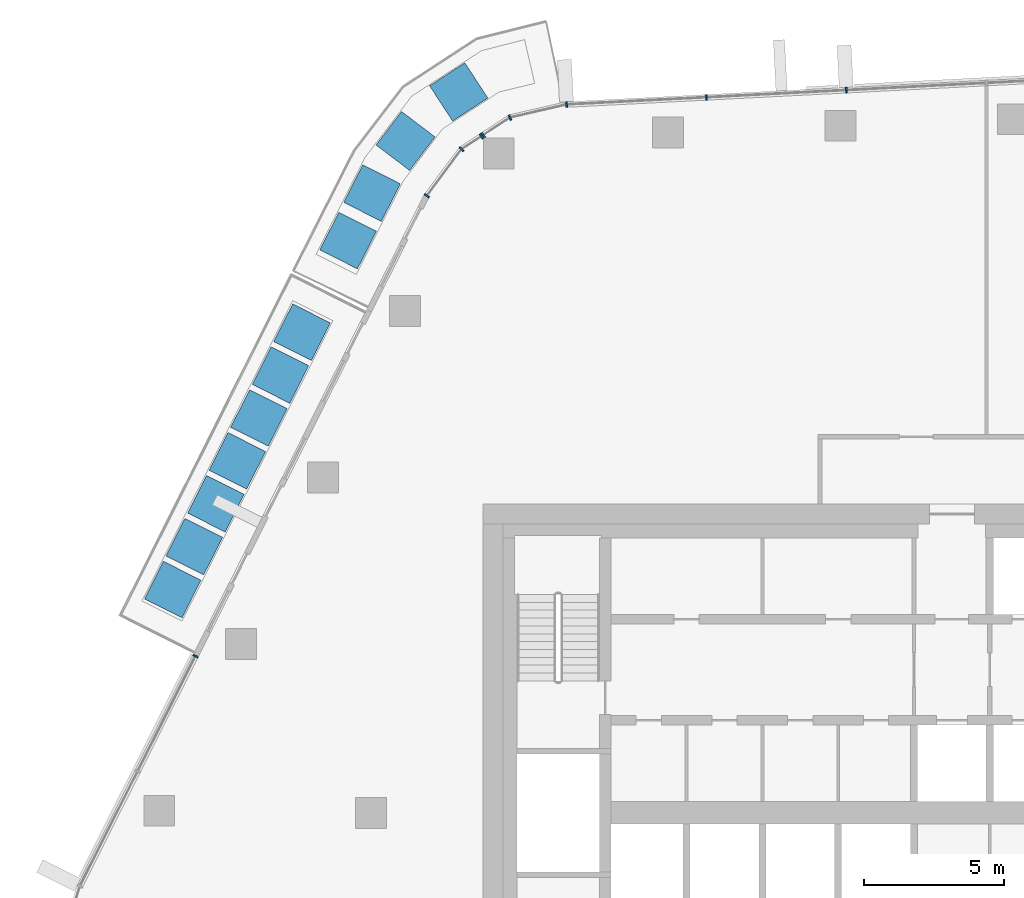
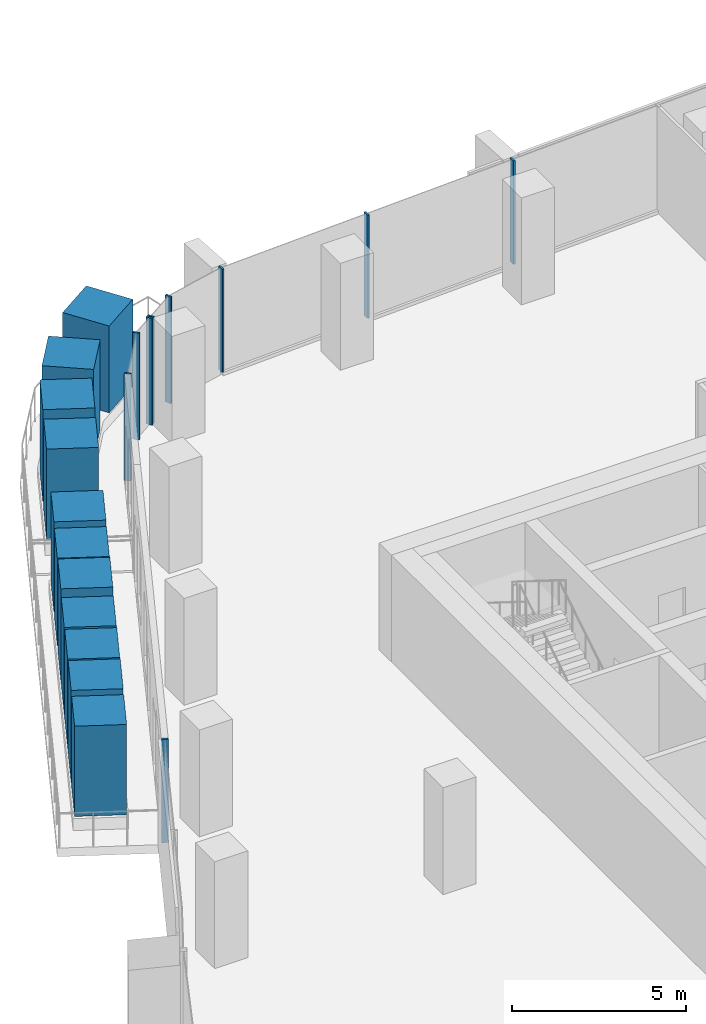
# One storey, part 6 of 21: 20 members, 4 elements without a shape of their own.
"""IFC4 building model written with IfcOpenShell, lengths in metres."""

from ifc_helpers import new_model, si_unit, direction, frame, origin, origin_2d, place, context, subcontext, project, spatial, rectangle, extrude, material, layer, layer_set, material_profile, profile_set, type_object, element, aggregate, save


model = new_model("IFC4")

# Units and contexts
model_context = context("Model", 3, precision=1e-05, world=origin(), true_north=direction((0.0, 1.0)))
body_context = subcontext(model_context, "Body", "Model", "MODEL_VIEW")
ifc_project = project(units=[si_unit("LENGTHUNIT", "METRE"), si_unit("AREAUNIT", "SQUARE_METRE"), si_unit("VOLUMEUNIT", "CUBIC_METRE"), si_unit("PLANEANGLEUNIT", "RADIAN"), si_unit("MASSUNIT", "GRAM", prefix="KILO")], contexts=[model_context])

# Site, building, storey
site_placement = place(None, origin())
site = spatial("IfcSite", under=ifc_project, at=site_placement, CompositionType="ELEMENT")
building_placement = place(site_placement, origin())
building = spatial("IfcBuilding", under=site, at=building_placement, Name="Dongbaek Canopy Tower", CompositionType="ELEMENT")
storey_placement = place(building_placement, frame((0.0, 0.0, 232.800048828125)))
storey = spatial("IfcBuildingStorey", under=building, at=storey_placement, Name="L48", CompositionType="ELEMENT", Elevation=232.800048828125)

# Curtain wall, members
ifc_material_1 = material(Name="Aluminium 6063-T6 pale anodised", Category="aluminium")
ifc_layer = layer(ifc_material_1, 0.199951171875)
ifc_layer_set = layer_set([ifc_layer], Name="CW-1 unitised tower curtain wall")
curtain_wall_type = type_object("IfcCurtainWallType", Name="CW-1 unitised tower curtain wall", PredefinedType="NOTDEFINED", material=ifc_layer_set)
curtain_wall_1_placement = place(storey_placement, origin())
curtain_wall_1 = element("IfcCurtainWall", 1, at=curtain_wall_1_placement, inside=storey, type_object=curtain_wall_type, Name="CW-1 curtain wall F1.1", PredefinedType="NOTDEFINED")
ifc_material_2 = material(Name="Aluminium 6063-T6 pale anodised", Category="aluminium")
ifc_material_profile_1 = material_profile(ifc_material_2, rectangle(XDim=0.199951171875, YDim=0.06005859375, at=origin_2d()), Name="CW-1 mullion 60 x 200")
ifc_profile_set_1 = profile_set([ifc_material_profile_1], Name="Aluminium 6063-T6 pale anodised")
member_type_1 = type_object("IfcMemberType", Name="CW-1 mullion 60 x 200", PredefinedType="MULLION", material=ifc_profile_set_1)
member_1_placement = place(storey_placement, frame((-1.058349609375, 25.747802734375, 0.119873046875), z_axis=(0.0, 0.0, 1.0), x_axis=(-0.051171421559, 0.998689884607, 0.0)))
member_1 = element("IfcMember", 2, at=member_1_placement, type_object=member_type_1, Name="CW-1 mullion F1.1.3", PredefinedType="MULLION", context=body_context, shape_type="SweptSolid", body=[
    extrude(rectangle(XDim=0.199951171875, YDim=0.06005859375, at=origin_2d()), origin(), (0.0, 0.0, 1.0), 3.630126953125),
])
member_2_placement = place(storey_placement, frame((-6.045654296875, 25.492431640625, 0.119873046875), z_axis=(0.0, 0.0, 1.0), x_axis=(-0.051171421559, 0.998689884607, 0.0)))
member_2 = element("IfcMember", 3, at=member_2_placement, type_object=member_type_1, Name="CW-1 mullion F1.1.4", PredefinedType="MULLION", context=body_context, shape_type="SweptSolid", body=[
    extrude(rectangle(XDim=0.199951171875, YDim=0.06005859375, at=origin_2d()), origin(), (0.0, 0.0, 1.0), 3.630126953125),
])
member_3_placement = place(storey_placement, frame((-11.024169921875, 25.2373046875, 0.119873046875), z_axis=(0.0, 0.0, 1.0), x_axis=(-0.051171421559, 0.998689884607, 0.0)))
member_3 = element("IfcMember", 4, at=member_3_placement, type_object=member_type_1, Name="CW-1 mullion F1.1.5", PredefinedType="MULLION", context=body_context, shape_type="SweptSolid", body=[
    extrude(rectangle(XDim=0.199951171875, YDim=0.06005859375, at=origin_2d()), origin(), (0.0, 0.0, 1.0), 3.630126953125),
])
aggregate(curtain_wall_1, [member_1, member_2, member_3])

curtain_wall_2_placement = place(storey_placement, origin())
curtain_wall_2 = element("IfcCurtainWall", 5, at=curtain_wall_2_placement, inside=storey, type_object=curtain_wall_type, Name="CW-1 curtain wall K2.1a", PredefinedType="NOTDEFINED")
member_4_placement = place(storey_placement, frame((-13.041748046875, 24.771484375, 0.0), z_axis=(0.0, 0.0, 1.0), x_axis=(-0.391762610491, 0.920066332946, 0.0)))
member_4 = element("IfcMember", 6, at=member_4_placement, type_object=member_type_1, Name="CW-1 mullion K2.1a.2", PredefinedType="MULLION", context=body_context, shape_type="SweptSolid", body=[
    extrude(rectangle(XDim=0.199951171875, YDim=0.06005859375, at=origin_2d()), origin(), (0.0, 0.0, 1.0), 3.75),
])
member_5_placement = place(storey_placement, frame((-13.994384765625, 24.14990234375, 0.0), z_axis=(0.0, 0.0, 1.0), x_axis=(-0.546536631238, 0.83743519792, 0.0)))
member_5 = element("IfcMember", 7, at=member_5_placement, type_object=member_type_1, Name="CW-1 mullion K2.1a.3", PredefinedType="MULLION", context=body_context, shape_type="SweptSolid", body=[
    extrude(rectangle(XDim=0.199951171875, YDim=0.06005859375, at=origin_2d()), origin(), (0.0, 0.0, 1.0), 3.75),
])
aggregate(curtain_wall_2, [member_4, member_5])

curtain_wall_3_placement = place(storey_placement, origin())
curtain_wall_3 = element("IfcCurtainWall", 8, at=curtain_wall_3_placement, inside=storey, type_object=curtain_wall_type, Name="CW-1 curtain wall K2.1b", PredefinedType="NOTDEFINED")
member_6_placement = place(storey_placement, frame((-14.06298828125, 24.10498046875, 0.0), z_axis=(0.0, 0.0, 1.0), x_axis=(-0.546536631238, 0.83743519792, 0.0)))
member_6 = element("IfcMember", 9, at=member_6_placement, type_object=member_type_1, Name="CW-1 mullion K2.1b.1", PredefinedType="MULLION", context=body_context, shape_type="SweptSolid", body=[
    extrude(rectangle(XDim=0.199951171875, YDim=0.06005859375, at=origin_2d()), origin(), (0.0, 0.0, 1.0), 3.75),
])
member_7_placement = place(storey_placement, frame((-14.768310546875, 23.644775390625, 0.0), z_axis=(0.0, 0.0, 1.0), x_axis=(-0.684486668453, 0.729025377275, 0.0)))
member_7 = element("IfcMember", 10, at=member_7_placement, type_object=member_type_1, Name="CW-1 mullion K2.1b.2", PredefinedType="MULLION", context=body_context, shape_type="SweptSolid", body=[
    extrude(rectangle(XDim=0.199951171875, YDim=0.06005859375, at=origin_2d()), origin(), (0.0, 0.0, 1.0), 3.75),
])
member_8_placement = place(storey_placement, frame((-16.007080078125, 21.9853515625, 0.0), z_axis=(0.0, 0.0, 1.0), x_axis=(-0.801366219635, 0.598174039914, 0.0)))
member_8 = element("IfcMember", 11, at=member_8_placement, type_object=member_type_1, Name="CW-1 mullion K2.1b.3", PredefinedType="MULLION", context=body_context, shape_type="SweptSolid", body=[
    extrude(rectangle(XDim=0.199951171875, YDim=0.06005859375, at=origin_2d()), origin(), (0.0, 0.0, 1.0), 3.75),
])
aggregate(curtain_wall_3, [member_6, member_7, member_8])

# Curtain wall, member
curtain_wall_4_placement = place(storey_placement, origin())
curtain_wall_4 = element("IfcCurtainWall", 12, at=curtain_wall_4_placement, inside=storey, type_object=curtain_wall_type, Name="CW-1 curtain wall F2.1", PredefinedType="NOTDEFINED")
member_9_placement = place(storey_placement, frame((-24.24609375, 5.5849609375, 0.119873046875), z_axis=(0.0, 0.0, 1.0), x_axis=(-0.893577393042, 0.448909169704, 0.0)))
member_9 = element("IfcMember", 13, at=member_9_placement, type_object=member_type_1, Name="CW-1 mullion F2.1.1", PredefinedType="MULLION", context=body_context, shape_type="SweptSolid", body=[
    extrude(rectangle(XDim=0.199951171875, YDim=0.06005859375, at=origin_2d()), origin(), (0.0, 0.0, 1.0), 3.630126953125),
])
aggregate(curtain_wall_4, [member_9])

# Members
ifc_material_3 = material(Name="Concrete C40/50 planter mass with planting", Category="concrete")
ifc_material_profile_2 = material_profile(ifc_material_3, rectangle(XDim=1.5, YDim=1.5, at=origin_2d()), Name="Terrace PLANTER shrub mass 1500 x 1500")
ifc_profile_set_2 = profile_set([ifc_material_profile_2], Name="Concrete C40/50 planter mass with planting")
member_type_2 = type_object("IfcMemberType", Name="Terrace PLANTER shrub mass 1500 x 1500", PredefinedType="USERDEFINED", material=ifc_profile_set_2)
member_10_placement = place(storey_placement, frame((-20.451171875, 17.126220703125, 0.419921875), z_axis=(0.0, 0.0, 1.0), x_axis=(-0.893577393042, 0.448909169704, 0.0)))
element("IfcMember", 14, at=member_10_placement, inside=storey, type_object=member_type_2, Name="Planter shrubs L48 1.1", ObjectType="PLANTER", PredefinedType="USERDEFINED", context=body_context, shape_type="SweptSolid", body=[
    extrude(rectangle(XDim=1.5, YDim=1.5, at=origin_2d()), origin(), (0.0, 0.0, 1.0), 3.169921875),
])
member_11_placement = place(storey_placement, frame((-21.218994140625, 15.59814453125, 0.419921875), z_axis=(0.0, 0.0, 1.0), x_axis=(-0.893577393042, 0.448909169704, 0.0)))
element("IfcMember", 15, at=member_11_placement, inside=storey, type_object=member_type_2, Name="Planter shrubs L48 1.2", ObjectType="PLANTER", PredefinedType="USERDEFINED", context=body_context, shape_type="SweptSolid", body=[
    extrude(rectangle(XDim=1.5, YDim=1.5, at=origin_2d()), origin(), (0.0, 0.0, 1.0), 3.090087890625),
])
member_12_placement = place(storey_placement, frame((-21.98681640625, 14.06982421875, 0.419921875), z_axis=(0.0, 0.0, 1.0), x_axis=(-0.893577393042, 0.448909169704, 0.0)))
element("IfcMember", 16, at=member_12_placement, inside=storey, type_object=member_type_2, Name="Planter shrubs L48 1.3", ObjectType="PLANTER", PredefinedType="USERDEFINED", context=body_context, shape_type="SweptSolid", body=[
    extrude(rectangle(XDim=1.5, YDim=1.5, at=origin_2d()), origin(), (0.0, 0.0, 1.0), 3.2099609375),
])
member_13_placement = place(storey_placement, frame((-22.75439453125, 12.54150390625, 0.419921875), z_axis=(0.0, 0.0, 1.0), x_axis=(-0.893577393042, 0.448909169704, 0.0)))
element("IfcMember", 17, at=member_13_placement, inside=storey, type_object=member_type_2, Name="Planter shrubs L48 1.4", ObjectType="PLANTER", PredefinedType="USERDEFINED", context=body_context, shape_type="SweptSolid", body=[
    extrude(rectangle(XDim=1.5, YDim=1.5, at=origin_2d()), origin(), (0.0, 0.0, 1.0), 3.050048828125),
])
member_14_placement = place(storey_placement, frame((-23.522216796875, 11.01318359375, 0.419921875), z_axis=(0.0, 0.0, 1.0), x_axis=(-0.893577393042, 0.448909169704, 0.0)))
element("IfcMember", 18, at=member_14_placement, inside=storey, type_object=member_type_2, Name="Planter shrubs L48 1.5", ObjectType="PLANTER", PredefinedType="USERDEFINED", context=body_context, shape_type="SweptSolid", body=[
    extrude(rectangle(XDim=1.5, YDim=1.5, at=origin_2d()), origin(), (0.0, 0.0, 1.0), 3.130126953125),
])
member_15_placement = place(storey_placement, frame((-24.2900390625, 9.485107421875, 0.419921875), z_axis=(0.0, 0.0, 1.0), x_axis=(-0.893577393042, 0.448909169704, 0.0)))
element("IfcMember", 19, at=member_15_placement, inside=storey, type_object=member_type_2, Name="Planter shrubs L48 1.6", ObjectType="PLANTER", PredefinedType="USERDEFINED", context=body_context, shape_type="SweptSolid", body=[
    extrude(rectangle(XDim=1.5, YDim=1.5, at=origin_2d()), origin(), (0.0, 0.0, 1.0), 3.22998046875),
])
member_16_placement = place(storey_placement, frame((-25.0576171875, 7.956787109375, 0.419921875), z_axis=(0.0, 0.0, 1.0), x_axis=(-0.893577393042, 0.448909169704, 0.0)))
element("IfcMember", 20, at=member_16_placement, inside=storey, type_object=member_type_2, Name="Planter shrubs L48 1.7", ObjectType="PLANTER", PredefinedType="USERDEFINED", context=body_context, shape_type="SweptSolid", body=[
    extrude(rectangle(XDim=1.5, YDim=1.5, at=origin_2d()), origin(), (0.0, 0.0, 1.0), 3.169921875),
])
member_17_placement = place(storey_placement, frame((-14.869140625, 25.685302734375, 0.419921875), z_axis=(0.0, 0.0, 1.0), x_axis=(-0.546536631238, 0.83743519792, 0.0)))
element("IfcMember", 21, at=member_17_placement, inside=storey, type_object=member_type_2, Name="Planter shrubs L48 4.1", ObjectType="PLANTER", PredefinedType="USERDEFINED", context=body_context, shape_type="SweptSolid", body=[
    extrude(rectangle(XDim=1.5, YDim=1.5, at=origin_2d()), origin(), (0.0, 0.0, 1.0), 3.050048828125),
])
member_18_placement = place(storey_placement, frame((-16.762451171875, 23.9384765625, 0.419921875), z_axis=(0.0, 0.0, 1.0), x_axis=(-0.796753054147, 0.604305031179, 0.0)))
element("IfcMember", 22, at=member_18_placement, inside=storey, type_object=member_type_2, Name="Planter shrubs L48 4.2", ObjectType="PLANTER", PredefinedType="USERDEFINED", context=body_context, shape_type="SweptSolid", body=[
    extrude(rectangle(XDim=1.5, YDim=1.5, at=origin_2d()), origin(), (0.0, 0.0, 1.0), 3.130126953125),
])
member_19_placement = place(storey_placement, frame((-17.956787109375, 22.08056640625, 0.419921875), z_axis=(0.0, 0.0, 1.0), x_axis=(-0.892804113831, 0.450445129096, 0.0)))
element("IfcMember", 23, at=member_19_placement, inside=storey, type_object=member_type_2, Name="Planter shrubs L48 4.3", ObjectType="PLANTER", PredefinedType="USERDEFINED", context=body_context, shape_type="SweptSolid", body=[
    extrude(rectangle(XDim=1.5, YDim=1.5, at=origin_2d()), origin(), (0.0, 0.0, 1.0), 3.22998046875),
])
member_20_placement = place(storey_placement, frame((-18.810302734375, 20.38916015625, 0.419921875), z_axis=(0.0, 0.0, 1.0), x_axis=(-0.892804113831, 0.450445129096, 0.0)))
element("IfcMember", 24, at=member_20_placement, inside=storey, type_object=member_type_2, Name="Planter shrubs L48 4.4", ObjectType="PLANTER", PredefinedType="USERDEFINED", context=body_context, shape_type="SweptSolid", body=[
    extrude(rectangle(XDim=1.5, YDim=1.5, at=origin_2d()), origin(), (0.0, 0.0, 1.0), 3.169921875),
])

save(model, "model.ifc")
